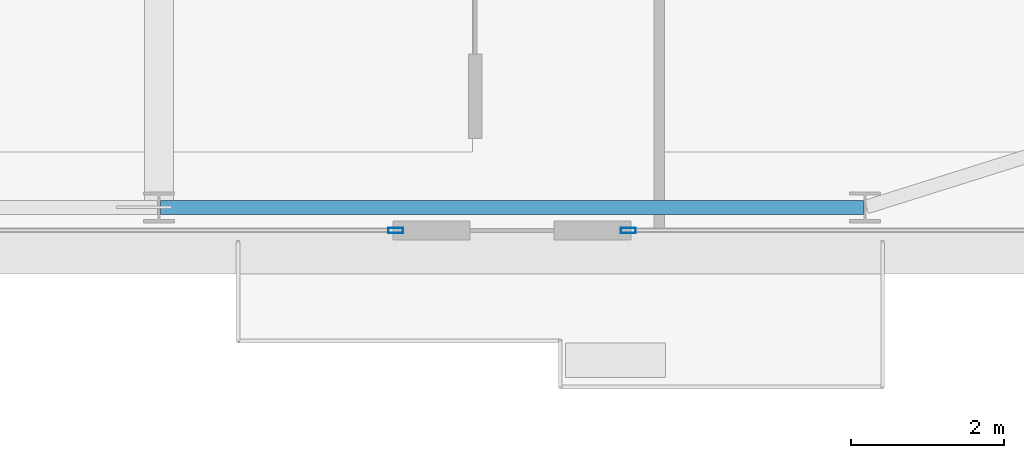
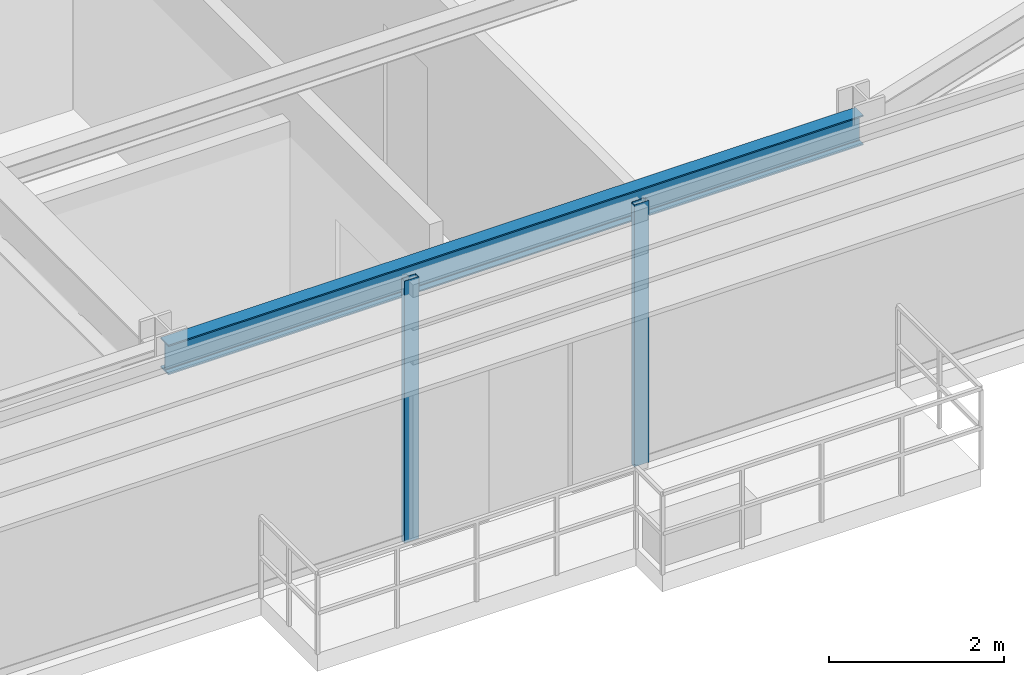
# One storey, part 12 of 31: 2 members, 1 beam, 2 elements without a shape of their own.
"""IFC4 building model written with IfcOpenShell, lengths in metres."""

from ifc_helpers import new_model, si_unit, direction, frame, origin, origin_2d, place, context, subcontext, project, spatial, hollow_rectangle, i_section, extrude, source, transform, mapped, material, layer, layer_set, material_profile, profile_set, type_object, type_shapes, element, aggregate, save


model = new_model("IFC4")

# Units and contexts
model_context = context("Model", 3, precision=1e-05, world=origin(), true_north=direction((0.0, 1.0)))
body_context = subcontext(model_context, "Body", "Model", "MODEL_VIEW")
ifc_project = project(units=[si_unit("LENGTHUNIT", "METRE"), si_unit("AREAUNIT", "SQUARE_METRE"), si_unit("VOLUMEUNIT", "CUBIC_METRE"), si_unit("PLANEANGLEUNIT", "RADIAN"), si_unit("MASSUNIT", "GRAM", prefix="KILO")], contexts=[model_context])

# Site, building, storey
site_placement = place(None, origin())
site = spatial("IfcSite", under=ifc_project, at=site_placement, CompositionType="ELEMENT")
building_placement = place(site_placement, origin())
building = spatial("IfcBuilding", under=site, at=building_placement, Name="Varnel Quay Broadcast Tower", CompositionType="ELEMENT")
storey_placement = place(building_placement, frame((0.0, 0.0, 39.300048828125)))
storey = spatial("IfcBuildingStorey", under=building, at=storey_placement, Name="L08", CompositionType="ELEMENT", Elevation=39.300048828125)

# Beam
ifc_material_1 = material(Name="Structural Steel CSA G40.21 350W", Category="steel")
ifc_material_profile_1 = material_profile(ifc_material_1, i_section(OverallWidth=0.180908203125, OverallDepth=0.4169921875, WebThickness=0.010986328125, FlangeThickness=0.018310546875, FilletRadius=0.011962890625, at=origin_2d()), Name="W410X85")
ifc_profile_set_1 = profile_set([ifc_material_profile_1], Name="Structural Steel CSA G40.21 350W")
beam_type = type_object("IfcBeamType", Name="Beam_W410X85", PredefinedType="SPANDREL", material=ifc_profile_set_1)
shared_shape_1 = source(origin(), body_context, "Body", "SweptSolid", [
    extrude(i_section(OverallWidth=0.180908203125, OverallDepth=0.4169921875, WebThickness=0.010986328125, FlangeThickness=0.018310546875, FilletRadius=0.011962890625, at=origin_2d()), origin(), (0.0, 0.0, 1.0), 9.159912109375),
])
type_shapes(beam_type, [shared_shape_1])
beam_placement = place(storey_placement, frame((43.219970703125, 1.64990234375, 3.44140625), z_axis=(1.0, 0.0, 0.0), x_axis=(0.0, 1.0, 0.0)))
element("IfcBeam", 1, at=beam_placement, inside=storey, type_object=beam_type, Name="L08 South Spandrel TC-S4-TC-S5", PredefinedType="SPANDREL", context=body_context, shape_type="MappedRepresentation", body=[
    mapped(shared_shape_1, transform((0.0, 0.0, 0.0), x_axis=(1.0, 0.0, 0.0), y_axis=(0.0, 1.0, 0.0), z_axis=(0.0, 0.0, 1.0), scale=1.0)),
])

# Curtain wall, member
ifc_material_2 = material(Name="Anodised Bronze Aluminium 6063-T6", Category="aluminium")
ifc_layer = layer(ifc_material_2, 0.18994140625, Name="Anodised Bronze Aluminium 6063-T6")
ifc_layer_set = layer_set([ifc_layer], Name="Anodised Bronze Aluminium 6063-T6")
curtain_wall_type = type_object("IfcCurtainWallType", Name="CW_LowerTower", PredefinedType="NOTDEFINED", material=ifc_layer_set)
curtain_wall_1_placement = place(storey_placement, origin())
curtain_wall_1 = element("IfcCurtainWall", 2, at=curtain_wall_1_placement, inside=storey, type_object=curtain_wall_type, Name="L08 South Unitised Curtain Wall 2", PredefinedType="NOTDEFINED")
ifc_material_profile_2 = material_profile(ifc_material_2, hollow_rectangle(XDim=0.070068359375, YDim=0.18994140625, WallThickness=0.00390625, at=origin_2d()), Name="ALU70X190X4")
ifc_profile_set_2 = profile_set([ifc_material_profile_2], Name="Anodised Bronze Aluminium 6063-T6")
member_type = type_object("IfcMemberType", Name="Mull_CWS-02", PredefinedType="MULLION", material=ifc_profile_set_2)
shared_shape_2 = source(origin(), body_context, "Body", "SweptSolid", [
    extrude(hollow_rectangle(XDim=0.070068359375, YDim=0.18994140625, WallThickness=0.00390625, at=origin_2d()), origin(), (0.0, 0.0, 1.0), 3.64990234375),
])
type_shapes(member_type, [shared_shape_2])
member_1_placement = place(storey_placement, frame((46.284912109375, 1.35009765625, 0.0), z_axis=(0.0, 0.0, 1.0), x_axis=(0.0, 1.0, 0.0)))
member_1 = element("IfcMember", 3, at=member_1_placement, type_object=member_type, Name="CWS-02 mullion 3", PredefinedType="MULLION", context=body_context, shape_type="MappedRepresentation", body=[
    mapped(shared_shape_2, transform((0.0, 0.0, 0.0), x_axis=(1.0, 0.0, 0.0), y_axis=(0.0, 1.0, 0.0), z_axis=(0.0, 0.0, 1.0), scale=1.0)),
])
aggregate(curtain_wall_1, [member_1])

curtain_wall_2_placement = place(storey_placement, origin())
curtain_wall_2 = element("IfcCurtainWall", 4, at=curtain_wall_2_placement, inside=storey, type_object=curtain_wall_type, Name="L08 South Unitised Curtain Wall 3", PredefinedType="NOTDEFINED")
member_2_placement = place(storey_placement, frame((49.31494140625, 1.35009765625, 0.0), z_axis=(0.0, 0.0, 1.0), x_axis=(0.0, 1.0, 0.0)))
member_2 = element("IfcMember", 5, at=member_2_placement, type_object=member_type, Name="CWS-02 mullion 1", PredefinedType="MULLION", context=body_context, shape_type="MappedRepresentation", body=[
    mapped(shared_shape_2, transform((0.0, 0.0, 0.0), x_axis=(1.0, 0.0, 0.0), y_axis=(0.0, 1.0, 0.0), z_axis=(0.0, 0.0, 1.0), scale=1.0)),
])
aggregate(curtain_wall_2, [member_2])

save(model, "model.ifc")
